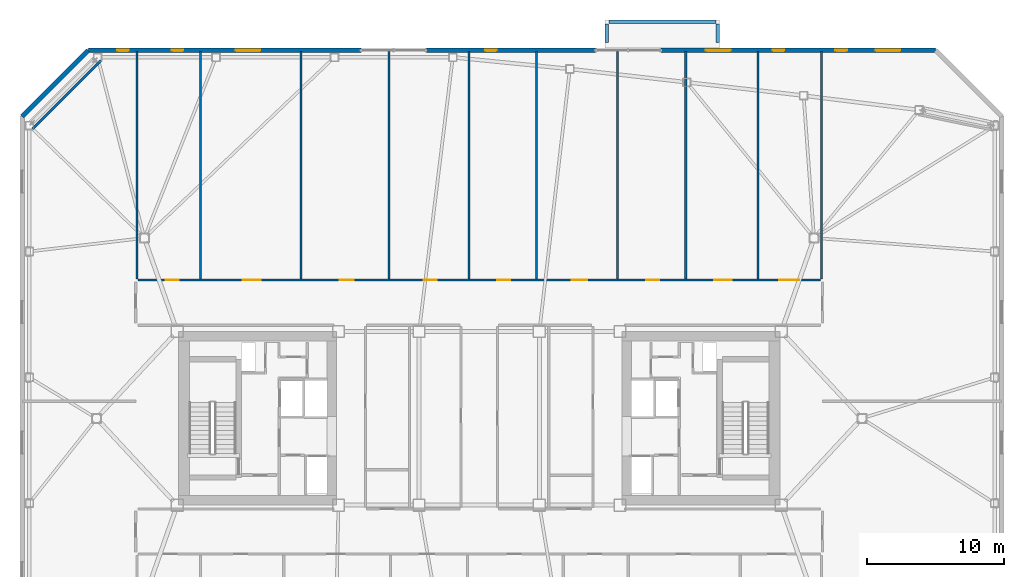
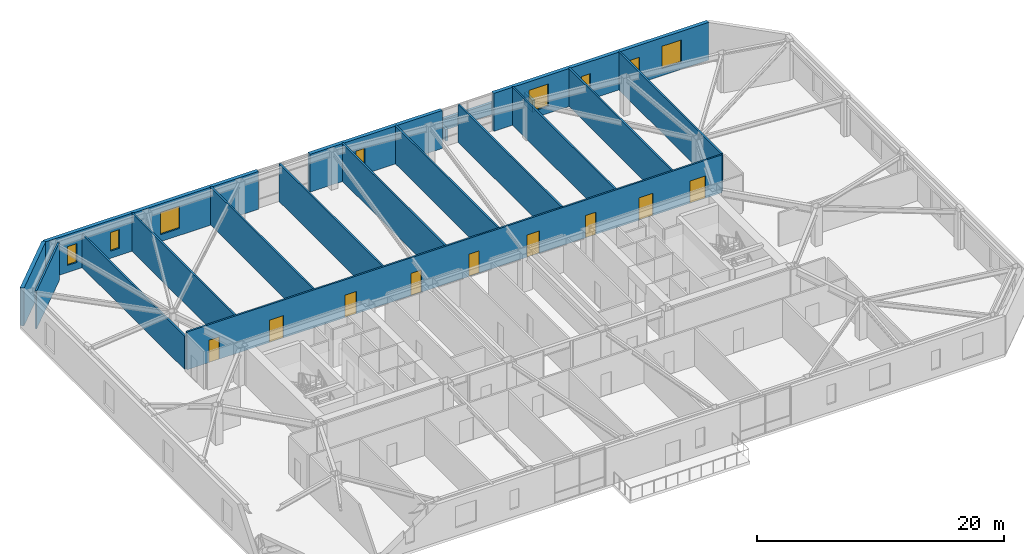
# One storey, part 13 of 19: 19 walls, 9 doors, 8 windows, 17 openings.
"""IFC4 building model written with IfcOpenShell, lengths in metres."""

from ifc_helpers import new_model, si_unit, direction, frame, frame_2d, origin, place, context, subcontext, project, spatial, rectangle, extrude, material, layer, layer_set, type_object, element, fill, save


model = new_model("IFC4")

# Units and contexts
model_context = context("Model", 3, precision=1e-05, world=origin(), true_north=direction((0.0, 1.0)))
body_context = subcontext(model_context, "Body", "Model", "MODEL_VIEW")
ifc_project = project(units=[si_unit("LENGTHUNIT", "METRE"), si_unit("AREAUNIT", "SQUARE_METRE"), si_unit("VOLUMEUNIT", "CUBIC_METRE"), si_unit("PLANEANGLEUNIT", "RADIAN"), si_unit("MASSUNIT", "GRAM", prefix="KILO")], contexts=[model_context])

# Site, building, storey
site_placement = place(None, origin())
site = spatial("IfcSite", under=ifc_project, at=site_placement, CompositionType="ELEMENT")
building_placement = place(site_placement, origin())
building = spatial("IfcBuilding", under=site, at=building_placement, Name="Tavrogorsk Clinical Tower", CompositionType="ELEMENT")
storey_placement = place(building_placement, frame((0.0, 0.0, 188.199951171875)))
storey = spatial("IfcBuildingStorey", under=building, at=storey_placement, Name="L43", CompositionType="ELEMENT", Elevation=188.199951171875)

# Wall
ifc_material_1 = material(Name="Lightweight concrete blockwork B15", Category="masonry")
ifc_layer_1 = layer(ifc_material_1, 0.159912109375)
ifc_layer_set_1 = layer_set([ifc_layer_1], Name="Lightweight concrete blockwork B15")
wall_type_1 = type_object("IfcWallType", Name="PartitionWall_160", PredefinedType="PARTITIONING", material=ifc_layer_set_1)
wall_1_placement = place(storey_placement, frame((-27.6796875, 26.1796875, 0.0), z_axis=(0.0, 0.0, 1.0), x_axis=(-0.707106781187, -0.707106781187, 0.0)))
element("IfcWall", 1, at=wall_1_placement, inside=storey, type_object=wall_type_1, Name="L43 Corner Exoskeleton Brace Furring Wall 3", PredefinedType="PARTITIONING", context=body_context, shape_type="SweptSolid", body=[
    extrude(rectangle(XDim=7.071044921875, YDim=0.159912109375, at=frame_2d((3.53564453125, 0.0))), origin(), (0.0, 0.0, 1.0), 3.739990234375),
])

# Wall, openings, doors
wall_2_placement = place(storey_placement, frame((-24.965087890625, 10.1298828125, 0.0), z_axis=(0.0, 0.0, 1.0), x_axis=(1.0, 0.0, 0.0)))
wall_2 = element("IfcWall", 2, at=wall_2_placement, inside=storey, type_object=wall_type_1, Name="L43 Corridor Partition 05", PredefinedType="PARTITIONING", context=body_context, shape_type="SweptSolid", body=[
    extrude(rectangle(XDim=49.93017578125, YDim=0.159912109375, at=frame_2d((24.965087890625, 0.0))), origin(), (0.0, 0.0, 1.0), 3.739990234375),
])
opening_1_placement = place(wall_2_placement, frame((2.044189453125, 0.0, 0.0)))
opening_1 = element("IfcOpeningElement", 3, at=opening_1_placement, cuts=wall_2, Name="Opening ID-02", PredefinedType="OPENING", context=body_context, shape_type="SweptSolid", body=[
    extrude(rectangle(XDim=0.949951171875, YDim=2.199951171875, at=frame_2d((0.47509765625, 1.10009765625))), frame((0.0, 0.08984375, 0.0), z_axis=(0.0, -1.0, 0.0), x_axis=(1.0, 0.0, 0.0)), (0.0, 0.0, 1.0), 0.179931640625),
])
opening_2_placement = place(wall_2_placement, frame((7.675048828125, 0.0, 0.0)))
opening_2 = element("IfcOpeningElement", 4, at=opening_2_placement, cuts=wall_2, Name="Opening ID-01", PredefinedType="OPENING", context=body_context, shape_type="SweptSolid", body=[
    extrude(rectangle(XDim=1.300048828125, YDim=2.199951171875, at=frame_2d((0.64990234375, 1.10009765625))), frame((0.0, 0.08984375, 0.0), z_axis=(0.0, -1.0, 0.0), x_axis=(1.0, 0.0, 0.0)), (0.0, 0.0, 1.0), 0.179931640625),
])
opening_3_placement = place(wall_2_placement, frame((14.75, 0.0, 0.0)))
opening_3 = element("IfcOpeningElement", 5, at=opening_3_placement, cuts=wall_2, Name="Opening ID-04", PredefinedType="OPENING", context=body_context, shape_type="SweptSolid", body=[
    extrude(rectangle(XDim=1.050048828125, YDim=2.199951171875, at=frame_2d((0.52490234375, 1.10009765625))), frame((0.0, 0.08984375, 0.0), z_axis=(0.0, -1.0, 0.0), x_axis=(1.0, 0.0, 0.0)), (0.0, 0.0, 1.0), 0.179931640625),
])
opening_4_placement = place(wall_2_placement, frame((20.89990234375, 0.0, 0.0)))
opening_4 = element("IfcOpeningElement", 6, at=opening_4_placement, cuts=wall_2, Name="Opening ID-02", PredefinedType="OPENING", context=body_context, shape_type="SweptSolid", body=[
    extrude(rectangle(XDim=0.949951171875, YDim=2.199951171875, at=frame_2d((0.47509765625, 1.10009765625))), frame((0.0, 0.08984375, 0.0), z_axis=(0.0, -1.0, 0.0), x_axis=(1.0, 0.0, 0.0)), (0.0, 0.0, 1.0), 0.179931640625),
])
opening_5_placement = place(wall_2_placement, frame((26.300048828125, 0.0, 0.0)))
opening_5 = element("IfcOpeningElement", 7, at=opening_5_placement, cuts=wall_2, Name="Opening ID-02", PredefinedType="OPENING", context=body_context, shape_type="SweptSolid", body=[
    extrude(rectangle(XDim=0.949951171875, YDim=2.199951171875, at=frame_2d((0.47509765625, 1.10009765625))), frame((0.0, 0.08984375, 0.0), z_axis=(0.0, -1.0, 0.0), x_axis=(1.0, 0.0, 0.0)), (0.0, 0.0, 1.0), 0.179931640625),
])
opening_6_placement = place(wall_2_placement, frame((31.72998046875, 0.0, 0.0)))
opening_6 = element("IfcOpeningElement", 8, at=opening_6_placement, cuts=wall_2, Name="Opening ID-06", PredefinedType="OPENING", context=body_context, shape_type="SweptSolid", body=[
    extrude(rectangle(XDim=1.14990234375, YDim=2.199951171875, at=frame_2d((0.574951171875, 1.10009765625))), frame((0.0, 0.08984375, 0.0), z_axis=(0.0, -1.0, 0.0), x_axis=(1.0, 0.0, 0.0)), (0.0, 0.0, 1.0), 0.179931640625),
])
opening_7_placement = place(wall_2_placement, frame((37.18994140625, 0.0, 0.0)))
opening_7 = element("IfcOpeningElement", 9, at=opening_7_placement, cuts=wall_2, Name="Opening ID-02", PredefinedType="OPENING", context=body_context, shape_type="SweptSolid", body=[
    extrude(rectangle(XDim=0.949951171875, YDim=2.199951171875, at=frame_2d((0.47509765625, 1.10009765625))), frame((0.0, 0.08984375, 0.0), z_axis=(0.0, -1.0, 0.0), x_axis=(1.0, 0.0, 0.0)), (0.0, 0.0, 1.0), 0.179931640625),
])
opening_8_placement = place(wall_2_placement, frame((42.159912109375, 0.0, 0.0)))
opening_8 = element("IfcOpeningElement", 10, at=opening_8_placement, cuts=wall_2, Name="Opening ID-01", PredefinedType="OPENING", context=body_context, shape_type="SweptSolid", body=[
    extrude(rectangle(XDim=1.300048828125, YDim=2.199951171875, at=frame_2d((0.64990234375, 1.10009765625))), frame((0.0, 0.08984375, 0.0), z_axis=(0.0, -1.0, 0.0), x_axis=(1.0, 0.0, 0.0)), (0.0, 0.0, 1.0), 0.179931640625),
])
opening_9_placement = place(wall_2_placement, frame((46.930908203125, 0.0, 0.0)))
opening_9 = element("IfcOpeningElement", 11, at=opening_9_placement, cuts=wall_2, Name="Opening ID-05", PredefinedType="OPENING", context=body_context, shape_type="SweptSolid", body=[
    extrude(rectangle(XDim=1.449951171875, YDim=2.199951171875, at=frame_2d((0.72509765625, 1.10009765625))), frame((0.0, 0.08984375, 0.0), z_axis=(0.0, -1.0, 0.0), x_axis=(1.0, 0.0, 0.0)), (0.0, 0.0, 1.0), 0.179931640625),
])
ifc_material_2 = material(Name="Antibacterial HPL consultation door on aluminium frame", Category="aluminium")
door_type_1 = type_object("IfcDoorType", Name="ConsultDoor_ID04_1050", OperationType="NOTDEFINED", PredefinedType="DOOR", material=ifc_material_2)
door_1_placement = place(opening_3_placement, origin())
door_1 = element("IfcDoor", 12, at=door_1_placement, inside=storey, type_object=door_type_1, Name="L43 North Clinical Examination Suite 02B Door", OperationType="SINGLE_SWING_LEFT", OverallHeight=2.199951171875, OverallWidth=1.050048828125, PredefinedType="DOOR", context=body_context, shape_type="SweptSolid", body=[
    extrude(rectangle(XDim=1.050048828125, YDim=2.199951171875, at=frame_2d((0.52490234375, 1.10009765625))), frame((0.0, 0.02490234375, 0.0), z_axis=(0.0, -1.0, 0.0), x_axis=(1.0, 0.0, 0.0)), (0.0, 0.0, 1.0), 0.050048828125),
])
fill(opening_3, door_1)
ifc_material_3 = material(Name="Antibacterial HPL bariatric ward double door")
door_type_2 = type_object("IfcDoorType", Name="DoubleWardDoor_ID05_1450", OperationType="DOUBLE_SWING_LEFT", PredefinedType="DOOR", material=ifc_material_3)
door_2_placement = place(opening_9_placement, origin())
door_2 = element("IfcDoor", 13, at=door_2_placement, inside=storey, type_object=door_type_2, Name="L43 North Sub-Acute Recovery Ward 06 Door", OperationType="DOUBLE_SWING_LEFT", OverallHeight=2.199951171875, OverallWidth=1.449951171875, PredefinedType="DOOR", context=body_context, shape_type="SweptSolid", body=[
    extrude(rectangle(XDim=1.449951171875, YDim=2.199951171875, at=frame_2d((0.72509765625, 1.10009765625))), frame((0.0, 0.02490234375, 0.0), z_axis=(0.0, -1.0, 0.0), x_axis=(1.0, 0.0, 0.0)), (0.0, 0.0, 1.0), 0.050048828125),
])
fill(opening_9, door_2)
ifc_material_4 = material(Name="Laminated timber leaf on aluminium frame", Category="wood")
door_type_3 = type_object("IfcDoorType", Name="InteriorDoor_ID02_950", OperationType="NOTDEFINED", PredefinedType="DOOR", material=ifc_material_4)
door_3_placement = place(opening_1_placement, origin())
door_3 = element("IfcDoor", 14, at=door_3_placement, inside=storey, type_object=door_type_3, Name="L43 North Physiotherapy Rehab Studio 01 Door", OperationType="SINGLE_SWING_LEFT", OverallHeight=2.199951171875, OverallWidth=0.949951171875, PredefinedType="DOOR", context=body_context, shape_type="SweptSolid", body=[
    extrude(rectangle(XDim=0.949951171875, YDim=2.199951171875, at=frame_2d((0.47509765625, 1.10009765625))), frame((0.0, 0.02490234375, 0.0), z_axis=(0.0, -1.0, 0.0), x_axis=(1.0, 0.0, 0.0)), (0.0, 0.0, 1.0), 0.050048828125),
])
fill(opening_1, door_3)
door_4_placement = place(opening_4_placement, origin())
door_4 = element("IfcDoor", 15, at=door_4_placement, inside=storey, type_object=door_type_3, Name="L43 North Physician Consultation Office 03A Door", OperationType="SINGLE_SWING_RIGHT", OverallHeight=2.199951171875, OverallWidth=0.949951171875, PredefinedType="DOOR", context=body_context, shape_type="SweptSolid", body=[
    extrude(rectangle(XDim=0.949951171875, YDim=2.199951171875, at=frame_2d((0.47509765625, 1.10009765625))), frame((0.0, 0.02490234375, 0.0), z_axis=(0.0, -1.0, 0.0), x_axis=(1.0, 0.0, 0.0)), (0.0, 0.0, 1.0), 0.050048828125),
])
fill(opening_4, door_4)
door_5_placement = place(opening_5_placement, origin())
door_5 = element("IfcDoor", 16, at=door_5_placement, inside=storey, type_object=door_type_3, Name="L43 North Diagnostic Ultrasound Suite 03B Door", OperationType="SINGLE_SWING_LEFT", OverallHeight=2.199951171875, OverallWidth=0.949951171875, PredefinedType="DOOR", context=body_context, shape_type="SweptSolid", body=[
    extrude(rectangle(XDim=0.949951171875, YDim=2.199951171875, at=frame_2d((0.47509765625, 1.10009765625))), frame((0.0, 0.02490234375, 0.0), z_axis=(0.0, -1.0, 0.0), x_axis=(1.0, 0.0, 0.0)), (0.0, 0.0, 1.0), 0.050048828125),
])
fill(opening_5, door_5)
door_6_placement = place(opening_7_placement, origin())
door_6 = element("IfcDoor", 17, at=door_6_placement, inside=storey, type_object=door_type_3, Name="L43 North Physiotherapy Rehab Studio 04B Door", OperationType="SINGLE_SWING_LEFT", OverallHeight=2.199951171875, OverallWidth=0.949951171875, PredefinedType="DOOR", context=body_context, shape_type="SweptSolid", body=[
    extrude(rectangle(XDim=0.949951171875, YDim=2.199951171875, at=frame_2d((0.47509765625, 1.10009765625))), frame((0.0, 0.02490234375, 0.0), z_axis=(0.0, -1.0, 0.0), x_axis=(1.0, 0.0, 0.0)), (0.0, 0.0, 1.0), 0.050048828125),
])
fill(opening_7, door_6)
ifc_material_5 = material(Name="Antibacterial HPL procedure door on aluminium frame", Category="aluminium")
door_type_4 = type_object("IfcDoorType", Name="LabDoor_ID06_1150", OperationType="NOTDEFINED", PredefinedType="DOOR", material=ifc_material_5)
door_7_placement = place(opening_6_placement, origin())
door_7 = element("IfcDoor", 18, at=door_7_placement, inside=storey, type_object=door_type_4, Name="L43 North Patient & Family Quiet Lounge 04A Door", OperationType="SINGLE_SWING_RIGHT", OverallHeight=2.199951171875, OverallWidth=1.14990234375, PredefinedType="DOOR", context=body_context, shape_type="SweptSolid", body=[
    extrude(rectangle(XDim=1.14990234375, YDim=2.199951171875, at=frame_2d((0.574951171875, 1.10009765625))), frame((0.0, 0.02490234375, 0.0), z_axis=(0.0, -1.0, 0.0), x_axis=(1.0, 0.0, 0.0)), (0.0, 0.0, 1.0), 0.050048828125),
])
fill(opening_6, door_7)
ifc_material_6 = material(Name="Antibacterial HPL medical leaf on aluminium frame", Category="aluminium")
door_type_5 = type_object("IfcDoorType", Name="WardBedDoor_ID01_1300", OperationType="NOTDEFINED", PredefinedType="DOOR", material=ifc_material_6)
door_8_placement = place(opening_2_placement, origin())
door_8 = element("IfcDoor", 19, at=door_8_placement, inside=storey, type_object=door_type_5, Name="L43 North Step-Down Telemetry Ward 02A Door", OperationType="SINGLE_SWING_RIGHT", OverallHeight=2.199951171875, OverallWidth=1.300048828125, PredefinedType="DOOR", context=body_context, shape_type="SweptSolid", body=[
    extrude(rectangle(XDim=1.300048828125, YDim=2.199951171875, at=frame_2d((0.64990234375, 1.10009765625))), frame((0.0, 0.02490234375, 0.0), z_axis=(0.0, -1.0, 0.0), x_axis=(1.0, 0.0, 0.0)), (0.0, 0.0, 1.0), 0.050048828125),
])
fill(opening_2, door_8)
door_9_placement = place(opening_8_placement, origin())
door_9 = element("IfcDoor", 20, at=door_9_placement, inside=storey, type_object=door_type_5, Name="L43 North Acute Isolation Suite 05 Door", OperationType="SINGLE_SWING_RIGHT", OverallHeight=2.199951171875, OverallWidth=1.300048828125, PredefinedType="DOOR", context=body_context, shape_type="SweptSolid", body=[
    extrude(rectangle(XDim=1.300048828125, YDim=2.199951171875, at=frame_2d((0.64990234375, 1.10009765625))), frame((0.0, 0.02490234375, 0.0), z_axis=(0.0, -1.0, 0.0), x_axis=(1.0, 0.0, 0.0)), (0.0, 0.0, 1.0), 0.050048828125),
])
fill(opening_8, door_9)

# Walls
wall_3_placement = place(storey_placement, frame((-25.050048828125, 10.215087890625, 0.0), z_axis=(0.0, 0.0, 1.0), x_axis=(0.0, 1.0, 0.0)))
element("IfcWall", 21, at=wall_3_placement, inside=storey, type_object=wall_type_1, Name="L43 NW Wing Closure Partition", PredefinedType="PARTITIONING", context=body_context, shape_type="SweptSolid", body=[
    extrude(rectangle(XDim=16.64501953125, YDim=0.159912109375, at=frame_2d((8.322509765625, 0.0))), origin(), (0.0, 0.0, 1.0), 3.28515625),
])
for number, where, z_axis, x_axis, name in (
    (22, (25.050048828125, 10.215087890625, 0.0), (0.0, 0.0, 1.0), (0.0, 1.0, 0.0), "L43 NE Wing Closure Partition"),
    (23, (-20.39990234375, 10.215087890625, 0.0), (0.0, 0.0, 1.0), (0.0, 1.0, 0.0), "L43 North Room Partition 1"),
    (24, (-6.60009765625, 10.215087890625, 0.0), (0.0, 0.0, 1.0), (0.0, 1.0, 0.0), "L43 North Room Partition 2"),
    (25, (4.199951171875, 10.215087890625, 0.0), (0.0, 0.0, 1.0), (0.0, 1.0, 0.0), "L43 North Room Partition 3"),
    (26, (15.1201171875, 10.215087890625, 0.0), (0.0, 0.0, 1.0), (0.0, 1.0, 0.0), "L43 North Room Partition 4"),
    (27, (20.39990234375, 10.215087890625, 0.0), (0.0, 0.0, 1.0), (0.0, 1.0, 0.0), "L43 North Room Partition 5"),
    (28, (-13.050048828125, 10.215087890625, 0.0), (0.0, 0.0, 1.0), (0.0, 1.0, 0.0), "L43 North Sub-Partition 2"),
    (29, (-0.75, 10.215087890625, 0.0), (0.0, 0.0, 1.0), (0.0, 1.0, 0.0), "L43 North Sub-Partition 3"),
    (30, (10.110107421875, 10.215087890625, 0.0), (0.0, 0.0, 1.0), (0.0, 1.0, 0.0), "L43 North Sub-Partition 4"),
):
    element("IfcWall", number, at=place(storey_placement, frame(where, z_axis=z_axis, x_axis=x_axis)), inside=storey, type_object=wall_type_1, Name=name, PredefinedType="PARTITIONING", context=body_context, shape_type="SweptSolid", body=[
        extrude(rectangle(XDim=16.64501953125, YDim=0.159912109375, at=frame_2d((8.322509765625, 0.0))), origin(), (0.0, 0.0, 1.0), 3.739990234375),
    ])

# Wall, openings, windows
ifc_material_7 = material(Name="Precast concrete B45 with limestone cladding", Category="masonry")
ifc_layer_2 = layer(ifc_material_7, 0.340087890625)
ifc_layer_set_2 = layer_set([ifc_layer_2], Name="Precast concrete B45 with limestone cladding")
wall_type_2 = type_object("IfcWallType", Name="PrecastLimestoneWall_340", PredefinedType="STANDARD", material=ifc_layer_set_2)
wall_4_placement = place(storey_placement, frame((33.39990234375, 26.929931640625, 0.0), z_axis=(0.0, 0.0, 1.0), x_axis=(-1.0, 0.0, 0.0)))
wall_4 = element("IfcWall", 31, at=wall_4_placement, inside=storey, type_object=wall_type_2, Name="L43 N Limestone Facade Wall 1", PredefinedType="STANDARD", context=body_context, shape_type="SweptSolid", body=[
    extrude(rectangle(XDim=20.08984375, YDim=0.340087890625, at=frame_2d((10.044921875, 0.0))), origin(), (0.0, 0.0, 1.0), 3.739990234375),
])
opening_10_placement = place(wall_4_placement, frame((15.0048828125, 0.0, 0.699951171875)))
opening_10 = element("IfcOpeningElement", 32, at=opening_10_placement, cuts=wall_4, Name="Opening WN-04", PredefinedType="OPENING", context=body_context, shape_type="SweptSolid", body=[
    extrude(rectangle(XDim=1.800048828125, YDim=2.199951171875, at=frame_2d((0.89990234375, 1.10009765625))), frame((0.0, 0.179931640625, 0.0), z_axis=(0.0, -1.0, 0.0), x_axis=(1.0, 0.0, 0.0)), (0.0, 0.0, 1.0), 0.360107421875),
])
opening_11_placement = place(wall_4_placement, frame((11.0712890625, 0.0, 0.699951171875)))
opening_11 = element("IfcOpeningElement", 33, at=opening_11_placement, cuts=wall_4, Name="Opening WN-06", PredefinedType="OPENING", context=body_context, shape_type="SweptSolid", body=[
    extrude(rectangle(XDim=0.85009765625, YDim=1.85009765625, at=frame_2d((0.425048828125, 0.925048828125))), frame((0.0, 0.179931640625, 0.0), z_axis=(0.0, -1.0, 0.0), x_axis=(1.0, 0.0, 0.0)), (0.0, 0.0, 1.0), 0.360107421875),
])
opening_12_placement = place(wall_4_placement, frame((6.479736328125, 0.0, 0.699951171875)))
opening_12 = element("IfcOpeningElement", 34, at=opening_12_placement, cuts=wall_4, Name="Opening WN-06", PredefinedType="OPENING", context=body_context, shape_type="SweptSolid", body=[
    extrude(rectangle(XDim=0.85009765625, YDim=1.85009765625, at=frame_2d((0.425048828125, 0.925048828125))), frame((0.0, 0.179931640625, 0.0), z_axis=(0.0, -1.0, 0.0), x_axis=(1.0, 0.0, 0.0)), (0.0, 0.0, 1.0), 0.360107421875),
])
opening_13_placement = place(wall_4_placement, frame((2.591064453125, 0.0, 0.699951171875)))
opening_13 = element("IfcOpeningElement", 35, at=opening_13_placement, cuts=wall_4, Name="Opening WN-04", PredefinedType="OPENING", context=body_context, shape_type="SweptSolid", body=[
    extrude(rectangle(XDim=1.800048828125, YDim=2.199951171875, at=frame_2d((0.89990234375, 1.10009765625))), frame((0.0, 0.179931640625, 0.0), z_axis=(0.0, -1.0, 0.0), x_axis=(1.0, 0.0, 0.0)), (0.0, 0.0, 1.0), 0.360107421875),
])
ifc_material_8 = material(Name="Thermally broken aluminium frame and triple IGU", Category="aluminium")
window_type_1 = type_object("IfcWindowType", Name="IsolationWin_1800x2200", PartitioningType="SINGLE_PANEL", PredefinedType="WINDOW", material=ifc_material_8)
window_1_placement = place(opening_10_placement, origin())
window_1 = element("IfcWindow", 36, at=window_1_placement, inside=storey, type_object=window_type_1, Name="L43 N Chicago Window 07", OverallHeight=2.199951171875, OverallWidth=1.800048828125, PartitioningType="SINGLE_PANEL", PredefinedType="WINDOW", context=body_context, shape_type="SweptSolid", body=[
    extrude(rectangle(XDim=1.800048828125, YDim=2.199951171875, at=frame_2d((0.89990234375, 1.10009765625))), frame((0.0, 0.030029296875, 0.0), z_axis=(0.0, -1.0, 0.0), x_axis=(1.0, 0.0, 0.0)), (0.0, 0.0, 1.0), 0.06005859375),
])
fill(opening_10, window_1)
window_2_placement = place(opening_13_placement, origin())
window_2 = element("IfcWindow", 37, at=window_2_placement, inside=storey, type_object=window_type_1, Name="L43 N Chicago Window 10", OverallHeight=2.199951171875, OverallWidth=1.800048828125, PartitioningType="SINGLE_PANEL", PredefinedType="WINDOW", context=body_context, shape_type="SweptSolid", body=[
    extrude(rectangle(XDim=1.800048828125, YDim=2.199951171875, at=frame_2d((0.89990234375, 1.10009765625))), frame((0.0, 0.030029296875, 0.0), z_axis=(0.0, -1.0, 0.0), x_axis=(1.0, 0.0, 0.0)), (0.0, 0.0, 1.0), 0.06005859375),
])
fill(opening_13, window_2)
ifc_material_9 = material(Name="Thermally broken aluminium frame and triple IGU", Category="aluminium")
window_type_2 = type_object("IfcWindowType", Name="MullionSubWin_850x1850", PartitioningType="SINGLE_PANEL", PredefinedType="WINDOW", material=ifc_material_9)
window_3_placement = place(opening_11_placement, origin())
window_3 = element("IfcWindow", 38, at=window_3_placement, inside=storey, type_object=window_type_2, Name="L43 N Mullion Split Window 08A", OverallHeight=1.85009765625, OverallWidth=0.85009765625, PartitioningType="SINGLE_PANEL", PredefinedType="WINDOW", context=body_context, shape_type="SweptSolid", body=[
    extrude(rectangle(XDim=0.85009765625, YDim=1.85009765625, at=frame_2d((0.425048828125, 0.925048828125))), frame((0.0, 0.030029296875, 0.0), z_axis=(0.0, -1.0, 0.0), x_axis=(1.0, 0.0, 0.0)), (0.0, 0.0, 1.0), 0.06005859375),
])
fill(opening_11, window_3)
window_4_placement = place(opening_12_placement, origin())
window_4 = element("IfcWindow", 39, at=window_4_placement, inside=storey, type_object=window_type_2, Name="L43 N Mullion Split Window 09A", OverallHeight=1.85009765625, OverallWidth=0.85009765625, PartitioningType="SINGLE_PANEL", PredefinedType="WINDOW", context=body_context, shape_type="SweptSolid", body=[
    extrude(rectangle(XDim=0.85009765625, YDim=1.85009765625, at=frame_2d((0.425048828125, 0.925048828125))), frame((0.0, 0.030029296875, 0.0), z_axis=(0.0, -1.0, 0.0), x_axis=(1.0, 0.0, 0.0)), (0.0, 0.0, 1.0), 0.06005859375),
])
fill(opening_12, window_4)

# Wall, opening, window
wall_5_placement = place(storey_placement, frame((8.510009765625, 26.929931640625, 0.0), z_axis=(0.0, 0.0, 1.0), x_axis=(-1.0, 0.0, 0.0)))
wall_5 = element("IfcWall", 40, at=wall_5_placement, inside=storey, type_object=wall_type_2, Name="L43 N Limestone Facade Wall 2", PredefinedType="STANDARD", context=body_context, shape_type="SweptSolid", body=[
    extrude(rectangle(XDim=12.372802734375, YDim=0.340087890625, at=frame_2d((6.1865234375, 0.0))), origin(), (0.0, 0.0, 1.0), 3.739990234375),
])
opening_14_placement = place(wall_5_placement, frame((7.228759765625, 0.0, 0.699951171875)))
opening_14 = element("IfcOpeningElement", 41, at=opening_14_placement, cuts=wall_5, Name="Opening WN-06", PredefinedType="OPENING", context=body_context, shape_type="SweptSolid", body=[
    extrude(rectangle(XDim=0.85009765625, YDim=1.85009765625, at=frame_2d((0.425048828125, 0.925048828125))), frame((0.0, 0.179931640625, 0.0), z_axis=(0.0, -1.0, 0.0), x_axis=(1.0, 0.0, 0.0)), (0.0, 0.0, 1.0), 0.360107421875),
])
window_5_placement = place(opening_14_placement, origin())
window_5 = element("IfcWindow", 42, at=window_5_placement, inside=storey, type_object=window_type_2, Name="L43 N Mullion Split Window 05A", OverallHeight=1.85009765625, OverallWidth=0.85009765625, PartitioningType="SINGLE_PANEL", PredefinedType="WINDOW", context=body_context, shape_type="SweptSolid", body=[
    extrude(rectangle(XDim=0.85009765625, YDim=1.85009765625, at=frame_2d((0.425048828125, 0.925048828125))), frame((0.0, 0.030029296875, 0.0), z_axis=(0.0, -1.0, 0.0), x_axis=(1.0, 0.0, 0.0)), (0.0, 0.0, 1.0), 0.06005859375),
])
fill(opening_14, window_5)

# Wall, openings, windows
wall_6_placement = place(storey_placement, frame((-8.662841796875, 26.929931640625, 0.0), z_axis=(0.0, 0.0, 1.0), x_axis=(-1.0, 0.0, 0.0)))
wall_6 = element("IfcWall", 43, at=wall_6_placement, inside=storey, type_object=wall_type_2, Name="L43 N Limestone Facade Wall 3", PredefinedType="STANDARD", context=body_context, shape_type="SweptSolid", body=[
    extrude(rectangle(XDim=19.937255859375, YDim=0.340087890625, at=frame_2d((9.96875, 0.0))), origin(), (0.0, 0.0, 1.0), 3.739990234375),
])
opening_15_placement = place(wall_6_placement, frame((16.96826171875, 0.0, 0.699951171875)))
opening_15 = element("IfcOpeningElement", 44, at=opening_15_placement, cuts=wall_6, Name="Opening WN-06", PredefinedType="OPENING", context=body_context, shape_type="SweptSolid", body=[
    extrude(rectangle(XDim=0.85009765625, YDim=1.85009765625, at=frame_2d((0.425048828125, 0.925048828125))), frame((0.0, 0.179931640625, 0.0), z_axis=(0.0, -1.0, 0.0), x_axis=(1.0, 0.0, 0.0)), (0.0, 0.0, 1.0), 0.360107421875),
])
opening_16_placement = place(wall_6_placement, frame((12.9833984375, 0.0, 0.699951171875)))
opening_16 = element("IfcOpeningElement", 45, at=opening_16_placement, cuts=wall_6, Name="Opening WN-06", PredefinedType="OPENING", context=body_context, shape_type="SweptSolid", body=[
    extrude(rectangle(XDim=0.85009765625, YDim=1.85009765625, at=frame_2d((0.425048828125, 0.925048828125))), frame((0.0, 0.179931640625, 0.0), z_axis=(0.0, -1.0, 0.0), x_axis=(1.0, 0.0, 0.0)), (0.0, 0.0, 1.0), 0.360107421875),
])
opening_17_placement = place(wall_6_placement, frame((7.355224609375, 0.0, 0.699951171875)))
opening_17 = element("IfcOpeningElement", 46, at=opening_17_placement, cuts=wall_6, Name="Opening WN-04", PredefinedType="OPENING", context=body_context, shape_type="SweptSolid", body=[
    extrude(rectangle(XDim=1.800048828125, YDim=2.199951171875, at=frame_2d((0.89990234375, 1.10009765625))), frame((0.0, 0.179931640625, 0.0), z_axis=(0.0, -1.0, 0.0), x_axis=(1.0, 0.0, 0.0)), (0.0, 0.0, 1.0), 0.360107421875),
])
window_6_placement = place(opening_17_placement, origin())
window_6 = element("IfcWindow", 47, at=window_6_placement, inside=storey, type_object=window_type_1, Name="L43 N Chicago Window 03", OverallHeight=2.199951171875, OverallWidth=1.800048828125, PartitioningType="SINGLE_PANEL", PredefinedType="WINDOW", context=body_context, shape_type="SweptSolid", body=[
    extrude(rectangle(XDim=1.800048828125, YDim=2.199951171875, at=frame_2d((0.89990234375, 1.10009765625))), frame((0.0, 0.030029296875, 0.0), z_axis=(0.0, -1.0, 0.0), x_axis=(1.0, 0.0, 0.0)), (0.0, 0.0, 1.0), 0.06005859375),
])
fill(opening_17, window_6)
window_7_placement = place(opening_15_placement, origin())
window_7 = element("IfcWindow", 48, at=window_7_placement, inside=storey, type_object=window_type_2, Name="L43 N Mullion Split Window 01B", OverallHeight=1.85009765625, OverallWidth=0.85009765625, PartitioningType="SINGLE_PANEL", PredefinedType="WINDOW", context=body_context, shape_type="SweptSolid", body=[
    extrude(rectangle(XDim=0.85009765625, YDim=1.85009765625, at=frame_2d((0.425048828125, 0.925048828125))), frame((0.0, 0.030029296875, 0.0), z_axis=(0.0, -1.0, 0.0), x_axis=(1.0, 0.0, 0.0)), (0.0, 0.0, 1.0), 0.06005859375),
])
fill(opening_15, window_7)
window_8_placement = place(opening_16_placement, origin())
window_8 = element("IfcWindow", 49, at=window_8_placement, inside=storey, type_object=window_type_2, Name="L43 N Mullion Split Window 02B", OverallHeight=1.85009765625, OverallWidth=0.85009765625, PartitioningType="SINGLE_PANEL", PredefinedType="WINDOW", context=body_context, shape_type="SweptSolid", body=[
    extrude(rectangle(XDim=0.85009765625, YDim=1.85009765625, at=frame_2d((0.425048828125, 0.925048828125))), frame((0.0, 0.030029296875, 0.0), z_axis=(0.0, -1.0, 0.0), x_axis=(1.0, 0.0, 0.0)), (0.0, 0.0, 1.0), 0.06005859375),
])
fill(opening_16, window_8)

# Walls
wall_7_placement = place(storey_placement, frame((-28.60009765625, 26.929931640625, 0.0), z_axis=(0.0, 0.0, 1.0), x_axis=(-0.707106781187, -0.707106781187, 0.0)))
element("IfcWall", 50, at=wall_7_placement, inside=storey, type_object=wall_type_2, Name="L43 Chamfered Corner Wall 3", PredefinedType="STANDARD", context=body_context, shape_type="SweptSolid", body=[
    extrude(rectangle(XDim=6.830322265625, YDim=0.340087890625, at=frame_2d((3.4150390625, 0.0))), origin(), (0.0, 0.0, 1.0), 3.739990234375),
])
ifc_material_10 = material(Name="Concrete B60", Category="concrete")
ifc_layer_3 = layer(ifc_material_10, 0.25)
ifc_layer_set_3 = layer_set([ifc_layer_3], Name="Concrete B60")
wall_type_3 = type_object("IfcWallType", Name="RoofParapetWall_250", PredefinedType="PARAPET", material=ifc_layer_set_3)
wall_8_placement = place(storey_placement, frame((9.340087890625, 27.489990234375, 0.0), z_axis=(0.0, 0.0, 1.0), x_axis=(0.0, 1.0, 0.0)))
element("IfcWall", 51, at=wall_8_placement, inside=storey, type_object=wall_type_3, Name="L43 Day-Room Roof Coping Parapet DRB-06-1", PredefinedType="PARAPET", context=body_context, shape_type="SweptSolid", body=[
    extrude(rectangle(XDim=1.380126953125, YDim=0.25, at=frame_2d((0.68994140625, 0.0))), origin(), (0.0, 0.0, 1.0), 1.150146484375),
])
wall_9_placement = place(storey_placement, frame((9.47998046875, 29.010009765625, 0.0), z_axis=(0.0, 0.0, 1.0), x_axis=(1.0, 0.0, 0.0)))
element("IfcWall", 52, at=wall_9_placement, inside=storey, type_object=wall_type_3, Name="L43 Day-Room Roof Coping Parapet DRB-06-2", PredefinedType="PARAPET", context=body_context, shape_type="SweptSolid", body=[
    extrude(rectangle(XDim=7.840087890625, YDim=0.25, at=frame_2d((3.919921875, 0.0))), origin(), (0.0, 0.0, 1.0), 1.150146484375),
])
wall_10_placement = place(storey_placement, frame((17.4599609375, 28.8701171875, 0.0), z_axis=(0.0, 0.0, 1.0), x_axis=(0.0, -1.0, 0.0)))
element("IfcWall", 53, at=wall_10_placement, inside=storey, type_object=wall_type_3, Name="L43 Day-Room Roof Coping Parapet DRB-06-3", PredefinedType="PARAPET", context=body_context, shape_type="SweptSolid", body=[
    extrude(rectangle(XDim=1.380126953125, YDim=0.25, at=frame_2d((0.68994140625, 0.0))), origin(), (0.0, 0.0, 1.0), 1.150146484375),
])

save(model, "model.ifc")
